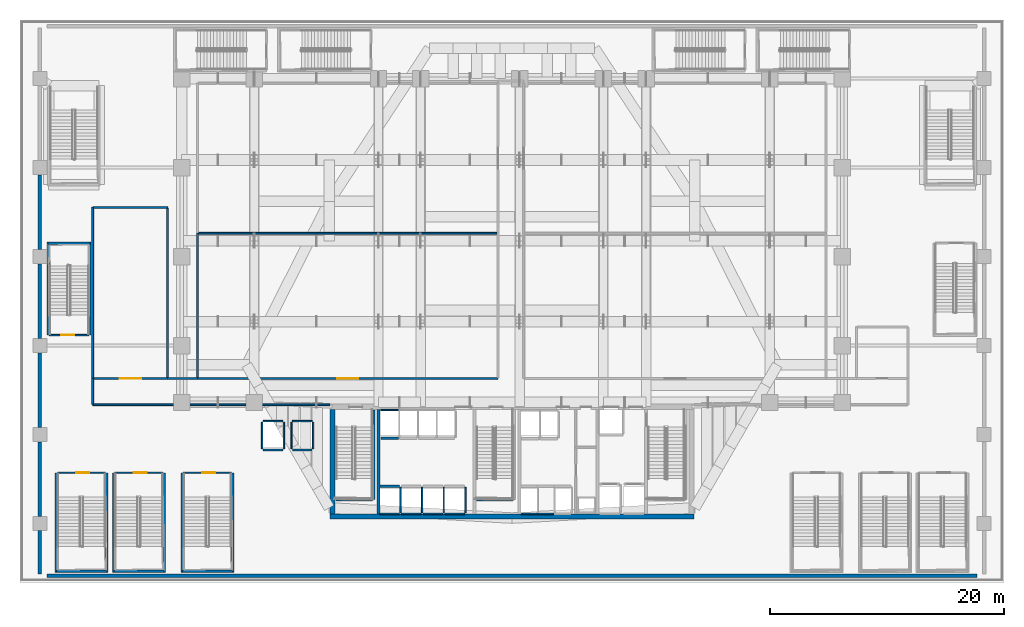
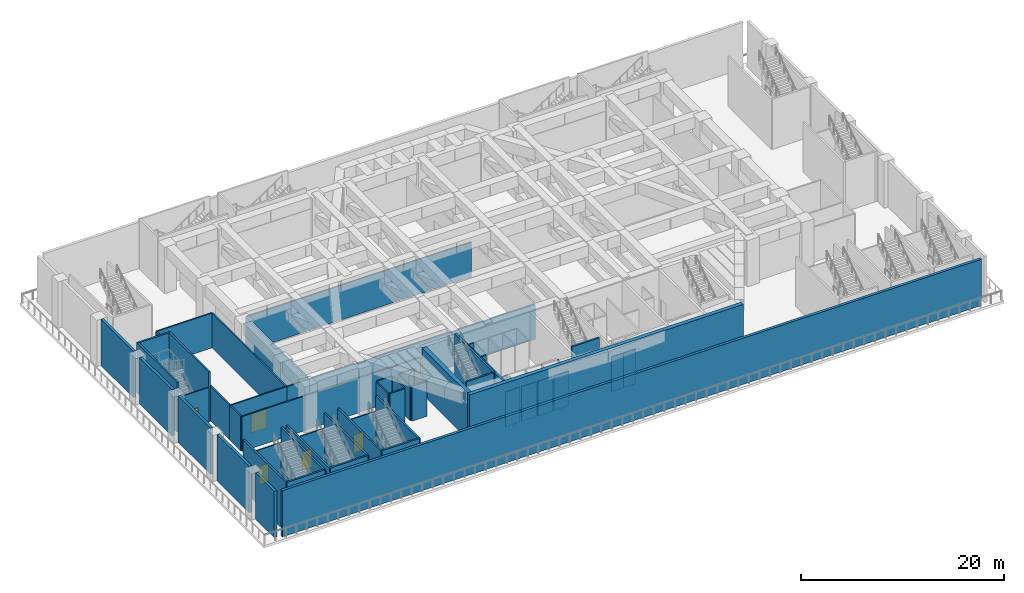
# One storey, part 9 of 27: 59 walls, 6 doors, 6 openings.
"""IFC4 building model written with IfcOpenShell, lengths in metres."""

from ifc_helpers import new_model, si_unit, direction, frame, frame_2d, origin, place, context, subcontext, project, spatial, rectangle, extrude, material, layer, layer_set, type_object, element, fill, save


model = new_model("IFC4")

# Units and contexts
model_context = context("Model", 3, precision=1e-05, world=origin(), true_north=direction((0.0, 1.0)))
body_context = subcontext(model_context, "Body", "Model", "MODEL_VIEW")
ifc_project = project(units=[si_unit("LENGTHUNIT", "METRE"), si_unit("AREAUNIT", "SQUARE_METRE"), si_unit("VOLUMEUNIT", "CUBIC_METRE"), si_unit("PLANEANGLEUNIT", "RADIAN"), si_unit("MASSUNIT", "GRAM", prefix="KILO")], contexts=[model_context])

# Site, building, storey
site_placement = place(None, origin())
site = spatial("IfcSite", under=ifc_project, at=site_placement, CompositionType="ELEMENT")
building_placement = place(site_placement, origin())
building = spatial("IfcBuilding", under=site, at=building_placement, Name="Ndaravel Arena Tower", CompositionType="ELEMENT")
storey_placement = place(building_placement, frame((0.0, 0.0, 24.0)))
storey = spatial("IfcBuildingStorey", under=building, at=storey_placement, Name="L04", CompositionType="ELEMENT", Elevation=24.0)

# Walls
ifc_material_1 = material(Name="Gypsum", Category="gypsum")
ifc_layer_1 = layer(ifc_material_1, 0.14990234375)
ifc_layer_set_1 = layer_set([ifc_layer_1], Name="Gypsum")
wall_type_1 = type_object("IfcWallType", Name="WALL-COMP-150", PredefinedType="PARTITIONING", material=ifc_layer_set_1)
wall_1_placement = place(storey_placement, frame((26.449951171875, 15.14990234375, 0.0), z_axis=(0.0, 0.0, 1.0), x_axis=(-1.0, 0.0, 0.0)))
element("IfcWall", 1, at=wall_1_placement, inside=storey, type_object=wall_type_1, Name="L04 Interior Partition 003", PredefinedType="PARTITIONING", context=body_context, shape_type="SweptSolid", body=[
    extrude(rectangle(XDim=20.25, YDim=0.14990234375, at=frame_2d((10.125, 0.0))), origin(), (0.0, 0.0, 1.0), 4.169921875),
])
wall_2_placement = place(storey_placement, frame((6.199951171875, 15.215087890625, 0.0), z_axis=(0.0, 0.0, 1.0), x_axis=(0.0, 1.0, 0.0)))
element("IfcWall", 2, at=wall_2_placement, inside=storey, type_object=wall_type_1, Name="L04 Interior Partition 004", PredefinedType="PARTITIONING", context=body_context, shape_type="SweptSolid", body=[
    extrude(rectangle(XDim=2.184814453125, YDim=0.14990234375, at=frame_2d((1.09228515625, 0.0))), origin(), (0.0, 0.0, 1.0), 4.169921875),
])

# Wall, opening, door
wall_3_placement = place(storey_placement, frame((6.264892578125, 17.39990234375, 0.0), z_axis=(0.0, 0.0, 1.0), x_axis=(1.0, 0.0, 0.0)))
wall_3 = element("IfcWall", 3, at=wall_3_placement, inside=storey, type_object=wall_type_1, Name="L04 Interior Partition 005", PredefinedType="PARTITIONING", context=body_context, shape_type="SweptSolid", body=[
    extrude(rectangle(XDim=6.335205078125, YDim=0.14990234375, at=frame_2d((3.16748046875, 0.0))), origin(), (0.0, 0.0, 1.0), 4.169921875),
])
opening_1_placement = place(wall_3_placement, frame((2.267578125, 0.0, 0.0)))
opening_1 = element("IfcOpeningElement", 4, at=opening_1_placement, cuts=wall_3, Name="Opening PD-01", PredefinedType="OPENING", context=body_context, shape_type="SweptSolid", body=[
    extrude(rectangle(XDim=1.800048828125, YDim=2.300048828125, at=frame_2d((0.89990234375, 1.14990234375))), frame((0.0, 0.074951171875, 0.0), z_axis=(0.0, -1.0, 0.0), x_axis=(1.0, 0.0, 0.0)), (0.0, 0.0, 1.0), 0.14990234375),
])
ifc_material_2 = material(Name="Steel S355", Category="steel")
door_type_1 = type_object("IfcDoorType", Name="DT-09-PLANT-1800", OperationType="DOUBLE_DOOR_SINGLE_SWING", PredefinedType="DOOR", material=ifc_material_2)
door_1_placement = place(opening_1_placement, origin())
door_1 = element("IfcDoor", 5, at=door_1_placement, inside=storey, type_object=door_type_1, Name="L04 Broadcast Control & Lighting Dimmer Plant Room Door", OperationType="SINGLE_SWING_LEFT", OverallHeight=2.300048828125, OverallWidth=1.800048828125, PredefinedType="DOOR", context=body_context, shape_type="SweptSolid", body=[
    extrude(rectangle(XDim=1.800048828125, YDim=2.300048828125, at=frame_2d((0.89990234375, 1.14990234375))), frame((0.0, 0.02490234375, 0.0), z_axis=(0.0, -1.0, 0.0), x_axis=(1.0, 0.0, 0.0)), (0.0, 0.0, 1.0), 0.050048828125),
])
fill(opening_1, door_1)

# Wall
wall_4_placement = place(storey_placement, frame((12.60009765625, 17.39990234375, 0.0), z_axis=(0.0, 0.0, 1.0), x_axis=(1.0, 0.0, 0.0)))
element("IfcWall", 6, at=wall_4_placement, inside=storey, type_object=wall_type_1, Name="L04 Interior Partition 006", PredefinedType="PARTITIONING", context=body_context, shape_type="SweptSolid", body=[
    extrude(rectangle(XDim=2.5498046875, YDim=0.14990234375, at=frame_2d((1.27490234375, 0.0))), origin(), (0.0, 0.0, 1.0), 4.169921875),
])

# Wall, opening, door
wall_5_placement = place(storey_placement, frame((15.14990234375, 17.39990234375, 0.0), z_axis=(0.0, 0.0, 1.0), x_axis=(1.0, 0.0, 0.0)))
wall_5 = element("IfcWall", 7, at=wall_5_placement, inside=storey, type_object=wall_type_1, Name="L04 Interior Partition 007", PredefinedType="PARTITIONING", context=body_context, shape_type="SweptSolid", body=[
    extrude(rectangle(XDim=25.650146484375, YDim=0.14990234375, at=frame_2d((12.8251953125, 0.0))), origin(), (0.0, 0.0, 1.0), 4.169921875),
])
opening_2_placement = place(wall_5_placement, frame((11.925048828125, 0.0, 0.0)))
opening_2 = element("IfcOpeningElement", 8, at=opening_2_placement, cuts=wall_5, Name="Opening PD-01", PredefinedType="OPENING", context=body_context, shape_type="SweptSolid", body=[
    extrude(rectangle(XDim=1.800048828125, YDim=2.300048828125, at=frame_2d((0.89990234375, 1.14990234375))), frame((0.0, 0.074951171875, 0.0), z_axis=(0.0, -1.0, 0.0), x_axis=(1.0, 0.0, 0.0)), (0.0, 0.0, 1.0), 0.14990234375),
])
door_2_placement = place(opening_2_placement, origin())
door_2 = element("IfcDoor", 9, at=door_2_placement, inside=storey, type_object=door_type_1, Name="L04 West Arena Supply AHU Plant Room Door", OperationType="SINGLE_SWING_RIGHT", OverallHeight=2.300048828125, OverallWidth=1.800048828125, PredefinedType="DOOR", context=body_context, shape_type="SweptSolid", body=[
    extrude(rectangle(XDim=1.800048828125, YDim=2.300048828125, at=frame_2d((0.89990234375, 1.14990234375))), frame((0.0, 0.02490234375, 0.0), z_axis=(0.0, -1.0, 0.0), x_axis=(1.0, 0.0, 0.0)), (0.0, 0.0, 1.0), 0.050048828125),
])
fill(opening_2, door_2)

# Walls
wall_6_placement = place(storey_placement, frame((6.199951171875, 17.39990234375, 0.0), z_axis=(0.0, 0.0, 1.0), x_axis=(0.0, 1.0, 0.0)))
element("IfcWall", 10, at=wall_6_placement, inside=storey, type_object=wall_type_1, Name="L04 Interior Partition 016", PredefinedType="PARTITIONING", context=body_context, shape_type="SweptSolid", body=[
    extrude(rectangle(XDim=14.60009765625, YDim=0.14990234375, at=frame_2d((7.300048828125, 0.0))), origin(), (0.0, 0.0, 1.0), 4.169921875),
])
wall_7_placement = place(storey_placement, frame((6.264892578125, 32.0, 0.0), z_axis=(0.0, 0.0, 1.0), x_axis=(1.0, 0.0, 0.0)))
element("IfcWall", 11, at=wall_7_placement, inside=storey, type_object=wall_type_1, Name="L04 Interior Partition 017", PredefinedType="PARTITIONING", context=body_context, shape_type="SweptSolid", body=[
    extrude(rectangle(XDim=6.335205078125, YDim=0.14990234375, at=frame_2d((3.16748046875, 0.0))), origin(), (0.0, 0.0, 1.0), 4.169921875),
])
wall_8_placement = place(storey_placement, frame((12.60009765625, 31.93505859375, 0.0), z_axis=(0.0, 0.0, 1.0), x_axis=(0.0, -1.0, 0.0)))
element("IfcWall", 12, at=wall_8_placement, inside=storey, type_object=wall_type_1, Name="L04 Interior Partition 018", PredefinedType="PARTITIONING", context=body_context, shape_type="SweptSolid", body=[
    extrude(rectangle(XDim=14.469970703125, YDim=0.14990234375, at=frame_2d((7.23486328125, 0.0))), origin(), (0.0, 0.0, 1.0), 4.169921875),
])
wall_9_placement = place(storey_placement, frame((15.14990234375, 17.465087890625, 0.0), z_axis=(0.0, 0.0, 1.0), x_axis=(0.0, 1.0, 0.0)))
element("IfcWall", 13, at=wall_9_placement, inside=storey, type_object=wall_type_1, Name="L04 Interior Partition 019", PredefinedType="PARTITIONING", context=body_context, shape_type="SweptSolid", body=[
    extrude(rectangle(XDim=12.3349609375, YDim=0.14990234375, at=frame_2d((6.16748046875, 0.0))), origin(), (0.0, 0.0, 1.0), 4.169921875),
])
wall_10_placement = place(storey_placement, frame((15.215087890625, 29.800048828125, 0.0), z_axis=(0.0, 0.0, 1.0), x_axis=(1.0, 0.0, 0.0)))
element("IfcWall", 14, at=wall_10_placement, inside=storey, type_object=wall_type_1, Name="L04 Interior Partition 020", PredefinedType="PARTITIONING", context=body_context, shape_type="SweptSolid", body=[
    extrude(rectangle(XDim=25.52001953125, YDim=0.14990234375, at=frame_2d((12.760009765625, 0.0))), origin(), (0.0, 0.0, 1.0), 4.169921875),
])
ifc_material_3 = material(Name="Concrete C60/75", Category="concrete")
ifc_layer_2 = layer(ifc_material_3, 0.25)
ifc_layer_set_2 = layer_set([ifc_layer_2], Name="Concrete C60/75")
wall_type_2 = type_object("IfcWallType", Name="WALL-CORE-250", PredefinedType="SOLIDWALL", material=ifc_layer_set_2)
wall_11_placement = place(storey_placement, frame((30.60009765625, 5.85009765625, 0.0), z_axis=(0.0, 0.0, 1.0), x_axis=(0.0, 1.0, 0.0)))
element("IfcWall", 15, at=wall_11_placement, inside=storey, type_object=wall_type_2, Name="L04 Core Web Shear Wall 1", PredefinedType="SOLIDWALL", context=body_context, shape_type="SweptSolid", body=[
    extrude(rectangle(XDim=8.89990234375, YDim=0.25, at=frame_2d((4.449951171875, 0.0))), origin(), (0.0, 0.0, 1.0), 5.550048828125),
])
ifc_material_4 = material(Name="Concrete C60/75", Category="concrete")
ifc_layer_3 = layer(ifc_material_4, 0.449951171875)
ifc_layer_set_3 = layer_set([ifc_layer_3], Name="Concrete C60/75")
wall_type_3 = type_object("IfcWallType", Name="WALL-CORE-450", PredefinedType="SOLIDWALL", material=ifc_layer_set_3)
wall_12_placement = place(storey_placement, frame((26.449951171875, 5.625, 0.0), z_axis=(0.0, 0.0, 1.0), x_axis=(1.0, 0.0, 0.0)))
element("IfcWall", 16, at=wall_12_placement, inside=storey, type_object=wall_type_3, Name="L04 Core South Shear Wall", PredefinedType="SOLIDWALL", context=body_context, shape_type="SweptSolid", body=[
    extrude(rectangle(XDim=31.10009765625, YDim=0.449951171875, at=frame_2d((15.550048828125, 0.0))), origin(), (0.0, 0.0, 1.0), 5.550048828125),
])
wall_13_placement = place(storey_placement, frame((26.675048828125, 5.85009765625, 0.0), z_axis=(0.0, 0.0, 1.0), x_axis=(0.0, 1.0, 0.0)))
element("IfcWall", 17, at=wall_13_placement, inside=storey, type_object=wall_type_3, Name="L04 Core West Shear Wall", PredefinedType="SOLIDWALL", context=body_context, shape_type="SweptSolid", body=[
    extrude(rectangle(XDim=8.89990234375, YDim=0.449951171875, at=frame_2d((4.449951171875, 0.0))), origin(), (0.0, 0.0, 1.0), 5.550048828125),
])
ifc_material_5 = material(Name="Masonry", Category="masonry")
ifc_layer_4 = layer(ifc_material_5, 0.300048828125)
ifc_layer_set_4 = layer_set([ifc_layer_4], Name="Masonry")
wall_type_4 = type_object("IfcWallType", Name="WALL-POD-MAZERAS-300", PredefinedType="SOLIDWALL", material=ifc_layer_set_4)
wall_14_placement = place(storey_placement, frame((2.300048828125, 0.550048828125, 0.0), z_axis=(0.0, 0.0, 1.0), x_axis=(1.0, 0.0, 0.0)))
element("IfcWall", 18, at=wall_14_placement, inside=storey, type_object=wall_type_4, Name="L04 South Mazeras Facade Wall", PredefinedType="SOLIDWALL", context=body_context, shape_type="SweptSolid", body=[
    extrude(rectangle(XDim=79.39990234375, YDim=0.300048828125, at=frame_2d((39.699951171875, 0.0))), origin(), (0.0, 0.0, 1.0), 5.550048828125),
])
wall_15_placement = place(storey_placement, frame((1.699951171875, 0.699951171875, 0.0), z_axis=(0.0, 0.0, 1.0), x_axis=(0.0, 1.0, 0.0)))
element("IfcWall", 19, at=wall_15_placement, inside=storey, type_object=wall_type_4, Name="L04 West Mazeras Bay 1", PredefinedType="SOLIDWALL", context=body_context, shape_type="SweptSolid", body=[
    extrude(rectangle(XDim=3.699951171875, YDim=0.300048828125, at=frame_2d((1.85009765625, 0.0))), origin(), (0.0, 0.0, 1.0), 5.550048828125),
])
wall_16_placement = place(storey_placement, frame((1.699951171875, 5.6201171875, 0.0), z_axis=(0.0, 0.0, 1.0), x_axis=(0.0, 1.0, 0.0)))
element("IfcWall", 20, at=wall_16_placement, inside=storey, type_object=wall_type_4, Name="L04 West Mazeras Bay 2", PredefinedType="SOLIDWALL", context=body_context, shape_type="SweptSolid", body=[
    extrude(rectangle(XDim=6.35986328125, YDim=0.300048828125, at=frame_2d((3.179931640625, 0.0))), origin(), (0.0, 0.0, 1.0), 5.550048828125),
])
wall_17_placement = place(storey_placement, frame((1.699951171875, 13.219970703125, 0.0), z_axis=(0.0, 0.0, 1.0), x_axis=(0.0, 1.0, 0.0)))
element("IfcWall", 21, at=wall_17_placement, inside=storey, type_object=wall_type_4, Name="L04 West Mazeras Bay 3", PredefinedType="SOLIDWALL", context=body_context, shape_type="SweptSolid", body=[
    extrude(rectangle(XDim=6.360107421875, YDim=0.300048828125, at=frame_2d((3.18017578125, 0.0))), origin(), (0.0, 0.0, 1.0), 5.550048828125),
])
wall_18_placement = place(storey_placement, frame((1.699951171875, 20.820068359375, 0.0), z_axis=(0.0, 0.0, 1.0), x_axis=(0.0, 1.0, 0.0)))
element("IfcWall", 22, at=wall_18_placement, inside=storey, type_object=wall_type_4, Name="L04 West Mazeras Bay 4", PredefinedType="SOLIDWALL", context=body_context, shape_type="SweptSolid", body=[
    extrude(rectangle(XDim=6.35986328125, YDim=0.300048828125, at=frame_2d((3.179931640625, 0.0))), origin(), (0.0, 0.0, 1.0), 5.550048828125),
])
wall_19_placement = place(storey_placement, frame((1.699951171875, 28.419921875, 0.0), z_axis=(0.0, 0.0, 1.0), x_axis=(0.0, 1.0, 0.0)))
element("IfcWall", 23, at=wall_19_placement, inside=storey, type_object=wall_type_4, Name="L04 West Mazeras Bay 5", PredefinedType="SOLIDWALL", context=body_context, shape_type="SweptSolid", body=[
    extrude(rectangle(XDim=6.360107421875, YDim=0.300048828125, at=frame_2d((3.18017578125, 0.0))), origin(), (0.0, 0.0, 1.0), 5.550048828125),
])

# Wall, opening, door
ifc_material_6 = material(Name="Concrete C40/50", Category="concrete")
ifc_layer_5 = layer(ifc_material_6, 0.1201171875)
ifc_layer_set_5 = layer_set([ifc_layer_5], Name="Concrete C40/50")
wall_type_5 = type_object("IfcWallType", Name="WALL-SHAFT-120", PredefinedType="SOLIDWALL", material=ifc_layer_set_5)
wall_20_placement = place(storey_placement, frame((3.205078125, 9.35009765625, 0.0), z_axis=(0.0, 0.0, 1.0), x_axis=(1.0, 0.0, 0.0)))
wall_20 = element("IfcWall", 24, at=wall_20_placement, inside=storey, type_object=wall_type_5, Name="L04 ST-A01 Entry Wall", PredefinedType="SOLIDWALL", context=body_context, shape_type="SweptSolid", body=[
    extrude(rectangle(XDim=4.08984375, YDim=0.1201171875, at=frame_2d((2.044921875, 0.0))), origin(), (0.0, 0.0, 1.0), 4.169921875),
])
opening_3_placement = place(wall_20_placement, frame((1.60009765625, 0.0, 0.0)))
opening_3 = element("IfcOpeningElement", 25, at=opening_3_placement, cuts=wall_20, Name="Opening FD-01", PredefinedType="OPENING", context=body_context, shape_type="SweptSolid", body=[
    extrude(rectangle(XDim=1.10009765625, YDim=2.199951171875, at=frame_2d((0.550048828125, 1.10009765625))), frame((0.0, 0.06005859375, 0.0), z_axis=(0.0, -1.0, 0.0), x_axis=(1.0, 0.0, 0.0)), (0.0, 0.0, 1.0), 0.1201171875),
])
ifc_material_7 = material(Name="Steel S355", Category="steel")
door_type_2 = type_object("IfcDoorType", Name="DT-01-STAIR-1100", OperationType="SINGLE_SWING_LEFT", PredefinedType="DOOR", material=ifc_material_7)
door_3_placement = place(opening_3_placement, origin())
door_3 = element("IfcDoor", 26, at=door_3_placement, inside=storey, type_object=door_type_2, Name="L04 ST-A01 Fire Exit Stair Door", OperationType="SINGLE_SWING_LEFT", OverallHeight=2.199951171875, OverallWidth=1.10009765625, PredefinedType="DOOR", context=body_context, shape_type="SweptSolid", body=[
    extrude(rectangle(XDim=1.10009765625, YDim=2.199951171875, at=frame_2d((0.550048828125, 1.10009765625))), frame((0.0, 0.02490234375, 0.0), z_axis=(0.0, -1.0, 0.0), x_axis=(1.0, 0.0, 0.0)), (0.0, 0.0, 1.0), 0.050048828125),
])
fill(opening_3, door_3)

wall_21_placement = place(storey_placement, frame((8.10498046875, 9.35009765625, 0.0), z_axis=(0.0, 0.0, 1.0), x_axis=(1.0, 0.0, 0.0)))
wall_21 = element("IfcWall", 27, at=wall_21_placement, inside=storey, type_object=wall_type_5, Name="L04 ST-A02 Entry Wall", PredefinedType="SOLIDWALL", context=body_context, shape_type="SweptSolid", body=[
    extrude(rectangle(XDim=4.090087890625, YDim=0.1201171875, at=frame_2d((2.044921875, 0.0))), origin(), (0.0, 0.0, 1.0), 4.169921875),
])
opening_4_placement = place(wall_21_placement, frame((1.60009765625, 0.0, 0.0)))
opening_4 = element("IfcOpeningElement", 28, at=opening_4_placement, cuts=wall_21, Name="Opening FD-01", PredefinedType="OPENING", context=body_context, shape_type="SweptSolid", body=[
    extrude(rectangle(XDim=1.10009765625, YDim=2.199951171875, at=frame_2d((0.550048828125, 1.10009765625))), frame((0.0, 0.06005859375, 0.0), z_axis=(0.0, -1.0, 0.0), x_axis=(1.0, 0.0, 0.0)), (0.0, 0.0, 1.0), 0.1201171875),
])
door_4_placement = place(opening_4_placement, origin())
door_4 = element("IfcDoor", 29, at=door_4_placement, inside=storey, type_object=door_type_2, Name="L04 ST-A02 Fire Exit Stair Door", OperationType="SINGLE_SWING_LEFT", OverallHeight=2.199951171875, OverallWidth=1.10009765625, PredefinedType="DOOR", context=body_context, shape_type="SweptSolid", body=[
    extrude(rectangle(XDim=1.10009765625, YDim=2.199951171875, at=frame_2d((0.550048828125, 1.10009765625))), frame((0.0, 0.02490234375, 0.0), z_axis=(0.0, -1.0, 0.0), x_axis=(1.0, 0.0, 0.0)), (0.0, 0.0, 1.0), 0.050048828125),
])
fill(opening_4, door_4)

wall_22_placement = place(storey_placement, frame((13.955078125, 9.35009765625, 0.0), z_axis=(0.0, 0.0, 1.0), x_axis=(1.0, 0.0, 0.0)))
wall_22 = element("IfcWall", 30, at=wall_22_placement, inside=storey, type_object=wall_type_5, Name="L04 ST-A03 Entry Wall", PredefinedType="SOLIDWALL", context=body_context, shape_type="SweptSolid", body=[
    extrude(rectangle(XDim=4.08984375, YDim=0.1201171875, at=frame_2d((2.044921875, 0.0))), origin(), (0.0, 0.0, 1.0), 4.169921875),
])
opening_5_placement = place(wall_22_placement, frame((1.60009765625, 0.0, 0.0)))
opening_5 = element("IfcOpeningElement", 31, at=opening_5_placement, cuts=wall_22, Name="Opening FD-01", PredefinedType="OPENING", context=body_context, shape_type="SweptSolid", body=[
    extrude(rectangle(XDim=1.10009765625, YDim=2.199951171875, at=frame_2d((0.550048828125, 1.10009765625))), frame((0.0, 0.06005859375, 0.0), z_axis=(0.0, -1.0, 0.0), x_axis=(1.0, 0.0, 0.0)), (0.0, 0.0, 1.0), 0.1201171875),
])
door_5_placement = place(opening_5_placement, origin())
door_5 = element("IfcDoor", 32, at=door_5_placement, inside=storey, type_object=door_type_2, Name="L04 ST-A03 Fire Exit Stair Door", OperationType="SINGLE_SWING_LEFT", OverallHeight=2.199951171875, OverallWidth=1.10009765625, PredefinedType="DOOR", context=body_context, shape_type="SweptSolid", body=[
    extrude(rectangle(XDim=1.10009765625, YDim=2.199951171875, at=frame_2d((0.550048828125, 1.10009765625))), frame((0.0, 0.02490234375, 0.0), z_axis=(0.0, -1.0, 0.0), x_axis=(1.0, 0.0, 0.0)), (0.0, 0.0, 1.0), 0.050048828125),
])
fill(opening_5, door_5)

wall_23_placement = place(storey_placement, frame((5.875, 21.10009765625, 0.0), z_axis=(0.0, 0.0, 1.0), x_axis=(-1.0, 0.0, 0.0)))
wall_23 = element("IfcWall", 33, at=wall_23_placement, inside=storey, type_object=wall_type_5, Name="L04 ST-A07 Entry Wall", PredefinedType="SOLIDWALL", context=body_context, shape_type="SweptSolid", body=[
    extrude(rectangle(XDim=3.3701171875, YDim=0.1201171875, at=frame_2d((1.68505859375, 0.0))), origin(), (0.0, 0.0, 1.0), 4.169921875),
])
opening_6_placement = place(wall_23_placement, frame((1.239990234375, 0.0, 0.0)))
opening_6 = element("IfcOpeningElement", 34, at=opening_6_placement, cuts=wall_23, Name="Opening FD-01", PredefinedType="OPENING", context=body_context, shape_type="SweptSolid", body=[
    extrude(rectangle(XDim=1.10009765625, YDim=2.199951171875, at=frame_2d((0.550048828125, 1.10009765625))), frame((0.0, 0.06005859375, 0.0), z_axis=(0.0, -1.0, 0.0), x_axis=(1.0, 0.0, 0.0)), (0.0, 0.0, 1.0), 0.1201171875),
])
door_6_placement = place(opening_6_placement, origin())
door_6 = element("IfcDoor", 35, at=door_6_placement, inside=storey, type_object=door_type_2, Name="L04 ST-A07 Fire Exit Stair Door", OperationType="SINGLE_SWING_LEFT", OverallHeight=2.199951171875, OverallWidth=1.10009765625, PredefinedType="DOOR", context=body_context, shape_type="SweptSolid", body=[
    extrude(rectangle(XDim=1.10009765625, YDim=2.199951171875, at=frame_2d((0.550048828125, 1.10009765625))), frame((0.0, 0.02490234375, 0.0), z_axis=(0.0, -1.0, 0.0), x_axis=(1.0, 0.0, 0.0)), (0.0, 0.0, 1.0), 0.050048828125),
])
fill(opening_6, door_6)

# Walls
wall_24_placement = place(storey_placement, frame((30.72998046875, 5.840087890625, 0.0), z_axis=(0.0, 0.0, 1.0), x_axis=(1.0, 0.0, 0.0)))
element("IfcWall", 36, at=wall_24_placement, inside=storey, type_object=wall_type_5, Name="L04 PL-L1 Shaft Rear Wall", PredefinedType="SOLIDWALL", context=body_context, shape_type="SweptSolid", body=[
    extrude(rectangle(XDim=1.6650390625, YDim=0.1201171875, at=frame_2d((0.83251953125, 0.0))), origin(), (0.0, 0.0, 1.0), 4.169921875),
])
wall_25_placement = place(storey_placement, frame((32.47509765625, 5.929931640625, 0.0), z_axis=(0.0, 0.0, 1.0), x_axis=(0.0, 1.0, 0.0)))
element("IfcWall", 37, at=wall_25_placement, inside=storey, type_object=wall_type_5, Name="L04 PL-L1 Shaft Side R Wall", PredefinedType="SOLIDWALL", context=body_context, shape_type="SweptSolid", body=[
    extrude(rectangle(XDim=2.18017578125, YDim=0.1201171875, at=frame_2d((1.090087890625, 0.0))), origin(), (0.0, 0.0, 1.0), 4.169921875),
])
wall_26_placement = place(storey_placement, frame((32.554931640625, 5.840087890625, 0.0), z_axis=(0.0, 0.0, 1.0), x_axis=(1.0, 0.0, 0.0)))
element("IfcWall", 38, at=wall_26_placement, inside=storey, type_object=wall_type_5, Name="L04 PL-L2 Shaft Rear Wall", PredefinedType="SOLIDWALL", context=body_context, shape_type="SweptSolid", body=[
    extrude(rectangle(XDim=1.690185546875, YDim=0.1201171875, at=frame_2d((0.84521484375, 0.0))), origin(), (0.0, 0.0, 1.0), 4.169921875),
])
wall_27_placement = place(storey_placement, frame((34.324951171875, 5.929931640625, 0.0), z_axis=(0.0, 0.0, 1.0), x_axis=(0.0, 1.0, 0.0)))
element("IfcWall", 39, at=wall_27_placement, inside=storey, type_object=wall_type_5, Name="L04 PL-L2 Shaft Side R Wall", PredefinedType="SOLIDWALL", context=body_context, shape_type="SweptSolid", body=[
    extrude(rectangle(XDim=2.18017578125, YDim=0.1201171875, at=frame_2d((1.090087890625, 0.0))), origin(), (0.0, 0.0, 1.0), 4.169921875),
])
wall_28_placement = place(storey_placement, frame((34.405029296875, 5.840087890625, 0.0), z_axis=(0.0, 0.0, 1.0), x_axis=(1.0, 0.0, 0.0)))
element("IfcWall", 40, at=wall_28_placement, inside=storey, type_object=wall_type_5, Name="L04 PL-L3 Shaft Rear Wall", PredefinedType="SOLIDWALL", context=body_context, shape_type="SweptSolid", body=[
    extrude(rectangle(XDim=1.68994140625, YDim=0.1201171875, at=frame_2d((0.844970703125, 0.0))), origin(), (0.0, 0.0, 1.0), 4.169921875),
])
wall_29_placement = place(storey_placement, frame((36.175048828125, 5.929931640625, 0.0), z_axis=(0.0, 0.0, 1.0), x_axis=(0.0, 1.0, 0.0)))
element("IfcWall", 41, at=wall_29_placement, inside=storey, type_object=wall_type_5, Name="L04 PL-L3 Shaft Side R Wall", PredefinedType="SOLIDWALL", context=body_context, shape_type="SweptSolid", body=[
    extrude(rectangle(XDim=2.18017578125, YDim=0.1201171875, at=frame_2d((1.090087890625, 0.0))), origin(), (0.0, 0.0, 1.0), 4.169921875),
])
wall_30_placement = place(storey_placement, frame((36.2548828125, 5.840087890625, 0.0), z_axis=(0.0, 0.0, 1.0), x_axis=(1.0, 0.0, 0.0)))
element("IfcWall", 42, at=wall_30_placement, inside=storey, type_object=wall_type_5, Name="L04 PL-L4 Shaft Rear Wall", PredefinedType="SOLIDWALL", context=body_context, shape_type="SweptSolid", body=[
    extrude(rectangle(XDim=1.690185546875, YDim=0.1201171875, at=frame_2d((0.84521484375, 0.0))), origin(), (0.0, 0.0, 1.0), 4.169921875),
])
wall_31_placement = place(storey_placement, frame((38.02490234375, 5.929931640625, 0.0), z_axis=(0.0, 0.0, 1.0), x_axis=(0.0, 1.0, 0.0)))
element("IfcWall", 43, at=wall_31_placement, inside=storey, type_object=wall_type_5, Name="L04 PL-L4 Shaft Side R Wall", PredefinedType="SOLIDWALL", context=body_context, shape_type="SweptSolid", body=[
    extrude(rectangle(XDim=2.18017578125, YDim=0.1201171875, at=frame_2d((1.090087890625, 0.0))), origin(), (0.0, 0.0, 1.0), 4.169921875),
])
wall_32_placement = place(storey_placement, frame((30.804931640625, 14.7099609375, 0.0), z_axis=(0.0, 0.0, 1.0), x_axis=(1.0, 0.0, 0.0)))
element("IfcWall", 44, at=wall_32_placement, inside=storey, type_object=wall_type_5, Name="L04 PL-M1 Shaft Rear Wall", PredefinedType="SOLIDWALL", context=body_context, shape_type="SweptSolid", body=[
    extrude(rectangle(XDim=1.489990234375, YDim=0.1201171875, at=frame_2d((0.7451171875, 0.0))), origin(), (0.0, 0.0, 1.0), 4.169921875),
])
wall_33_placement = place(storey_placement, frame((42.780029296875, 5.840087890625, 0.0), z_axis=(0.0, 0.0, 1.0), x_axis=(1.0, 0.0, 0.0)))
element("IfcWall", 45, at=wall_33_placement, inside=storey, type_object=wall_type_5, Name="L04 PL-H1 Shaft Rear Wall", PredefinedType="SOLIDWALL", context=body_context, shape_type="SweptSolid", body=[
    extrude(rectangle(XDim=1.340087890625, YDim=0.1201171875, at=frame_2d((0.669921875, 0.0))), origin(), (0.0, 0.0, 1.0), 4.169921875),
])
wall_34_placement = place(storey_placement, frame((44.1298828125, 5.840087890625, 0.0), z_axis=(0.0, 0.0, 1.0), x_axis=(1.0, 0.0, 0.0)))
element("IfcWall", 46, at=wall_34_placement, inside=storey, type_object=wall_type_5, Name="L04 PL-H2 Shaft Rear Wall", PredefinedType="SOLIDWALL", context=body_context, shape_type="SweptSolid", body=[
    extrude(rectangle(XDim=1.440185546875, YDim=0.1201171875, at=frame_2d((0.72021484375, 0.0))), origin(), (0.0, 0.0, 1.0), 4.169921875),
])
wall_35_placement = place(storey_placement, frame((20.7548828125, 13.760009765625, 0.0), z_axis=(0.0, 0.0, 1.0), x_axis=(1.0, 0.0, 0.0)))
element("IfcWall", 47, at=wall_35_placement, inside=storey, type_object=wall_type_5, Name="L04 PL-A1 Shaft Rear Wall", PredefinedType="SOLIDWALL", context=body_context, shape_type="SweptSolid", body=[
    extrude(rectangle(XDim=1.690185546875, YDim=0.1201171875, at=frame_2d((0.84521484375, 0.0))), origin(), (0.0, 0.0, 1.0), 4.169921875),
])
for number, where, z_axis, x_axis, name in (
    (48, (20.675048828125, 11.389892578125, 0.0), (0.0, 0.0, 1.0), (0.0, 1.0, 0.0), "L04 PL-A1 Shaft Side L Wall"),
    (49, (22.52490234375, 11.389892578125, 0.0), (0.0, 0.0, 1.0), (0.0, 1.0, 0.0), "L04 PL-A1 Shaft Side R Wall"),
):
    element("IfcWall", number, at=place(storey_placement, frame(where, z_axis=z_axis, x_axis=x_axis)), inside=storey, type_object=wall_type_5, Name=name, PredefinedType="SOLIDWALL", context=body_context, shape_type="SweptSolid", body=[
        extrude(rectangle(XDim=2.280029296875, YDim=0.1201171875, at=frame_2d((1.14013671875, 0.0))), origin(), (0.0, 0.0, 1.0), 4.169921875),
    ])
wall_36_placement = place(storey_placement, frame((23.2548828125, 13.760009765625, 0.0), z_axis=(0.0, 0.0, 1.0), x_axis=(1.0, 0.0, 0.0)))
element("IfcWall", 50, at=wall_36_placement, inside=storey, type_object=wall_type_5, Name="L04 PL-A2 Shaft Rear Wall", PredefinedType="SOLIDWALL", context=body_context, shape_type="SweptSolid", body=[
    extrude(rectangle(XDim=1.690185546875, YDim=0.1201171875, at=frame_2d((0.84521484375, 0.0))), origin(), (0.0, 0.0, 1.0), 4.169921875),
])
for number, where, z_axis, x_axis, name in (
    (51, (23.175048828125, 11.389892578125, 0.0), (0.0, 0.0, 1.0), (0.0, 1.0, 0.0), "L04 PL-A2 Shaft Side L Wall"),
    (52, (25.02490234375, 11.389892578125, 0.0), (0.0, 0.0, 1.0), (0.0, 1.0, 0.0), "L04 PL-A2 Shaft Side R Wall"),
):
    element("IfcWall", number, at=place(storey_placement, frame(where, z_axis=z_axis, x_axis=x_axis)), inside=storey, type_object=wall_type_5, Name=name, PredefinedType="SOLIDWALL", context=body_context, shape_type="SweptSolid", body=[
        extrude(rectangle(XDim=2.280029296875, YDim=0.1201171875, at=frame_2d((1.14013671875, 0.0))), origin(), (0.0, 0.0, 1.0), 4.169921875),
    ])
ifc_material_8 = material(Name="Concrete C40/50", Category="concrete")
ifc_layer_6 = layer(ifc_material_8, 0.199951171875)
ifc_layer_set_6 = layer_set([ifc_layer_6], Name="Concrete C40/50")
wall_type_6 = type_object("IfcWallType", Name="WALL-SHAFT-200", PredefinedType="SOLIDWALL", material=ifc_layer_set_6)
wall_37_placement = place(storey_placement, frame((30.18994140625, 14.699951171875, 0.0), z_axis=(0.0, 0.0, 1.0), x_axis=(0.0, -1.0, 0.0)))
element("IfcWall", 53, at=wall_37_placement, inside=storey, type_object=wall_type_6, Name="L04 ST-1 Structural Shaft Wall Right", PredefinedType="SOLIDWALL", context=body_context, shape_type="SweptSolid", body=[
    extrude(rectangle(XDim=7.64990234375, YDim=0.199951171875, at=frame_2d((3.824951171875, 0.0))), origin(), (0.0, 0.0, 1.0), 6.0),
])
for number, where, z_axis, x_axis, name in (
    (54, (26.969970703125, 7.050048828125, 0.0), (0.0, 0.0, 1.0), (1.0, 0.0, 0.0), "L04 ST-1 Structural Shaft Wall Far"),
    (55, (38.969970703125, 7.050048828125, 0.0), (0.0, 0.0, 1.0), (1.0, 0.0, 0.0), "L04 ST-2 Structural Shaft Wall Far"),
):
    element("IfcWall", number, at=place(storey_placement, frame(where, z_axis=z_axis, x_axis=x_axis)), inside=storey, type_object=wall_type_6, Name=name, PredefinedType="SOLIDWALL", context=body_context, shape_type="SweptSolid", body=[
        extrude(rectangle(XDim=3.114990234375, YDim=0.199951171875, at=frame_2d((1.5576171875, 0.0))), origin(), (0.0, 0.0, 1.0), 6.0),
    ])
for number, where, z_axis, x_axis, name in (
    (56, (3.10009765625, 9.35009765625, 0.0), (0.0, 0.0, 1.0), (0.0, -1.0, 0.0), "L04 ST-A01 Shaft Wall Left"),
    (57, (7.39990234375, 9.35009765625, 0.0), (0.0, 0.0, 1.0), (0.0, -1.0, 0.0), "L04 ST-A01 Shaft Wall Right"),
):
    element("IfcWall", number, at=place(storey_placement, frame(where, z_axis=z_axis, x_axis=x_axis)), inside=storey, type_object=wall_type_6, Name=name, PredefinedType="SOLIDWALL", context=body_context, shape_type="SweptSolid", body=[
        extrude(rectangle(XDim=8.5, YDim=0.199951171875, at=frame_2d((4.25, 0.0))), origin(), (0.0, 0.0, 1.0), 6.0),
    ])
wall_38_placement = place(storey_placement, frame((3.110107421875, 0.949951171875, 0.0), z_axis=(0.0, 0.0, 1.0), x_axis=(1.0, 0.0, 0.0)))
element("IfcWall", 58, at=wall_38_placement, inside=storey, type_object=wall_type_6, Name="L04 ST-A01 Shaft Wall Far", PredefinedType="SOLIDWALL", context=body_context, shape_type="SweptSolid", body=[
    extrude(rectangle(XDim=4.27978515625, YDim=0.199951171875, at=frame_2d((2.139892578125, 0.0))), origin(), (0.0, 0.0, 1.0), 6.0),
])
for number, where, z_axis, x_axis, name in (
    (59, (8.0, 9.35009765625, 0.0), (0.0, 0.0, 1.0), (0.0, -1.0, 0.0), "L04 ST-A02 Shaft Wall Left"),
    (60, (12.300048828125, 9.35009765625, 0.0), (0.0, 0.0, 1.0), (0.0, -1.0, 0.0), "L04 ST-A02 Shaft Wall Right"),
):
    element("IfcWall", number, at=place(storey_placement, frame(where, z_axis=z_axis, x_axis=x_axis)), inside=storey, type_object=wall_type_6, Name=name, PredefinedType="SOLIDWALL", context=body_context, shape_type="SweptSolid", body=[
        extrude(rectangle(XDim=8.5, YDim=0.199951171875, at=frame_2d((4.25, 0.0))), origin(), (0.0, 0.0, 1.0), 6.0),
    ])
wall_39_placement = place(storey_placement, frame((8.010009765625, 0.949951171875, 0.0), z_axis=(0.0, 0.0, 1.0), x_axis=(1.0, 0.0, 0.0)))
element("IfcWall", 61, at=wall_39_placement, inside=storey, type_object=wall_type_6, Name="L04 ST-A02 Shaft Wall Far", PredefinedType="SOLIDWALL", context=body_context, shape_type="SweptSolid", body=[
    extrude(rectangle(XDim=4.280029296875, YDim=0.199951171875, at=frame_2d((2.14013671875, 0.0))), origin(), (0.0, 0.0, 1.0), 6.0),
])
for number, where, z_axis, x_axis, name in (
    (62, (13.85009765625, 9.35009765625, 0.0), (0.0, 0.0, 1.0), (0.0, -1.0, 0.0), "L04 ST-A03 Shaft Wall Left"),
    (63, (18.14990234375, 9.35009765625, 0.0), (0.0, 0.0, 1.0), (0.0, -1.0, 0.0), "L04 ST-A03 Shaft Wall Right"),
):
    element("IfcWall", number, at=place(storey_placement, frame(where, z_axis=z_axis, x_axis=x_axis)), inside=storey, type_object=wall_type_6, Name=name, PredefinedType="SOLIDWALL", context=body_context, shape_type="SweptSolid", body=[
        extrude(rectangle(XDim=8.5, YDim=0.199951171875, at=frame_2d((4.25, 0.0))), origin(), (0.0, 0.0, 1.0), 6.0),
    ])
wall_40_placement = place(storey_placement, frame((13.860107421875, 0.949951171875, 0.0), z_axis=(0.0, 0.0, 1.0), x_axis=(1.0, 0.0, 0.0)))
element("IfcWall", 64, at=wall_40_placement, inside=storey, type_object=wall_type_6, Name="L04 ST-A03 Shaft Wall Far", PredefinedType="SOLIDWALL", context=body_context, shape_type="SweptSolid", body=[
    extrude(rectangle(XDim=4.27978515625, YDim=0.199951171875, at=frame_2d((2.139892578125, 0.0))), origin(), (0.0, 0.0, 1.0), 6.0),
])
for number, where, z_axis, x_axis, name in (
    (65, (5.97998046875, 21.10009765625, 0.0), (0.0, 0.0, 1.0), (0.0, 1.0, 0.0), "L04 ST-A07 Shaft Wall Left"),
    (66, (2.39990234375, 21.10009765625, 0.0), (0.0, 0.0, 1.0), (0.0, 1.0, 0.0), "L04 ST-A07 Shaft Wall Right"),
):
    element("IfcWall", number, at=place(storey_placement, frame(where, z_axis=z_axis, x_axis=x_axis)), inside=storey, type_object=wall_type_6, Name=name, PredefinedType="SOLIDWALL", context=body_context, shape_type="SweptSolid", body=[
        extrude(rectangle(XDim=7.949951171875, YDim=0.199951171875, at=frame_2d((3.97509765625, 0.0))), origin(), (0.0, 0.0, 1.0), 6.0),
    ])
wall_41_placement = place(storey_placement, frame((5.969970703125, 28.949951171875, 0.0), z_axis=(0.0, 0.0, 1.0), x_axis=(-1.0, 0.0, 0.0)))
element("IfcWall", 67, at=wall_41_placement, inside=storey, type_object=wall_type_6, Name="L04 ST-A07 Shaft Wall Far", PredefinedType="SOLIDWALL", context=body_context, shape_type="SweptSolid", body=[
    extrude(rectangle(XDim=3.56005859375, YDim=0.199951171875, at=frame_2d((1.780029296875, 0.0))), origin(), (0.0, 0.0, 1.0), 6.0),
])
wall_42_placement = place(storey_placement, frame((30.72998046875, 8.199951171875, 0.0), z_axis=(0.0, 0.0, 1.0), x_axis=(1.0, 0.0, 0.0)))
element("IfcWall", 68, at=wall_42_placement, inside=storey, type_object=wall_type_6, Name="L04 PL-L1 Shaft Landing Wall", PredefinedType="SOLIDWALL", context=body_context, shape_type="SweptSolid", body=[
    extrude(rectangle(XDim=1.6650390625, YDim=0.179931640625, at=frame_2d((0.83251953125, 0.0))), origin(), (0.0, 0.0, 1.0), 4.169921875),
])
wall_43_placement = place(storey_placement, frame((30.804931640625, 12.300048828125, 0.0), z_axis=(0.0, 0.0, 1.0), x_axis=(1.0, 0.0, 0.0)))
element("IfcWall", 69, at=wall_43_placement, inside=storey, type_object=wall_type_6, Name="L04 PL-M1 Shaft Landing Wall", PredefinedType="SOLIDWALL", context=body_context, shape_type="SweptSolid", body=[
    extrude(rectangle(XDim=1.489990234375, YDim=0.179931640625, at=frame_2d((0.7451171875, 0.0))), origin(), (0.0, 0.0, 1.0), 4.169921875),
])
for number, where, z_axis, x_axis, name in (
    (70, (20.7548828125, 11.300048828125, 0.0), (0.0, 0.0, 1.0), (1.0, 0.0, 0.0), "L04 PL-A1 Shaft Landing Wall"),
    (71, (23.2548828125, 11.300048828125, 0.0), (0.0, 0.0, 1.0), (1.0, 0.0, 0.0), "L04 PL-A2 Shaft Landing Wall"),
):
    element("IfcWall", number, at=place(storey_placement, frame(where, z_axis=z_axis, x_axis=x_axis)), inside=storey, type_object=wall_type_6, Name=name, PredefinedType="SOLIDWALL", context=body_context, shape_type="SweptSolid", body=[
        extrude(rectangle(XDim=1.690185546875, YDim=0.179931640625, at=frame_2d((0.84521484375, 0.0))), origin(), (0.0, 0.0, 1.0), 4.169921875),
    ])

save(model, "model.ifc")
